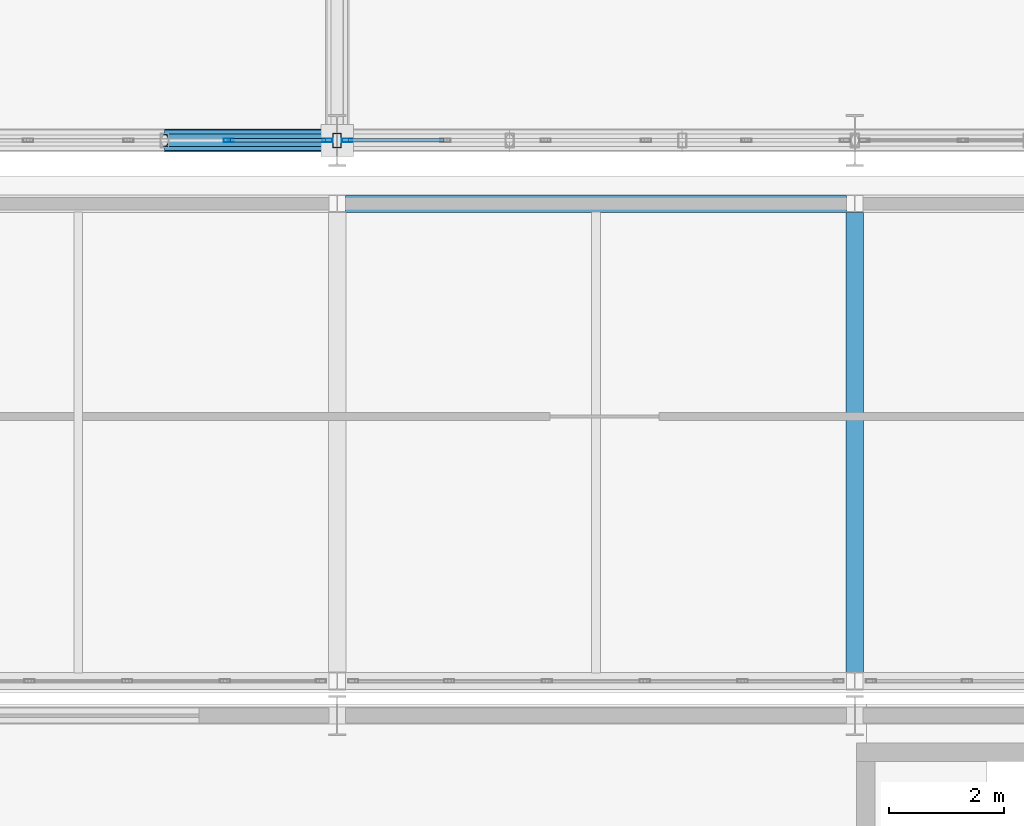
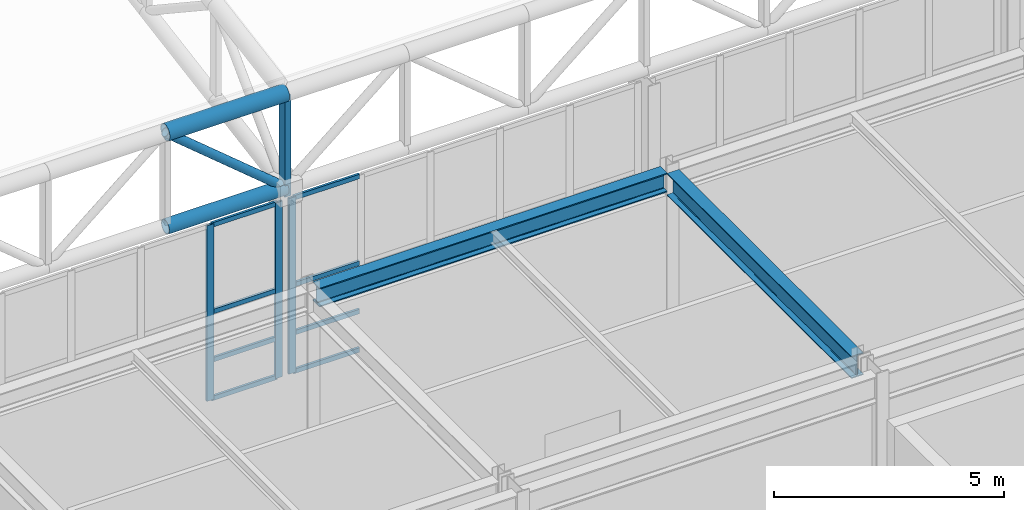
# One storey, part 34 of 239: 15 members, 2 beams, 2 elements without a shape of their own.
"""IFC4 building model written with IfcOpenShell, lengths in metres."""

import ifcopenshell
import ifcopenshell.guid

model = None  # the IFC model being written
_history = None  # IfcOwnerHistory: only IFC2X3 demands one
_inside = {}  # id of a spatial element -> (the spatial element, [elements in it])
_under = {}  # id of a project, library or spatial element -> (it, [spatial elements below it])
_declared = {}  # id of a project -> (the project, [libraries it declares])
_typed = {}  # id of a type object -> (the type object, [elements of that type])
_made_of = {}  # id of a material, layer set ... -> (it, [elements and type objects made of it])


def new_model(schema):
    """Start an empty IFC model of exactly this schema.

    Asked for "IFC4X3", IfcOpenShell would pick the latest addendum, in which some entities
    have other attributes; the version numbers below select the first issue.
    IFC2X3 requires an IfcOwnerHistory on every rooted entity: one is made here for all.
    """
    global model, _history
    if schema == "IFC4X3":
        model = ifcopenshell.file(schema_version=(4, 3, 0, 0))
    else:
        model = ifcopenshell.file(schema=schema)
    _inside.clear()
    _under.clear()
    _declared.clear()
    _typed.clear()
    _made_of.clear()
    _history = None
    if model.schema == "IFC2X3":
        org = make("IfcOrganization", Name="unknown")
        user = make(
            "IfcPersonAndOrganization",
            ThePerson=make("IfcPerson", FamilyName="unknown"),
            TheOrganization=org,
        )
        app = make(
            "IfcApplication",
            ApplicationDeveloper=org,
            Version="unknown",
            ApplicationFullName="unknown",
            ApplicationIdentifier="unknown",
        )
        _history = make(
            "IfcOwnerHistory",
            OwningUser=user,
            OwningApplication=app,
            ChangeAction="ADDED",
            CreationDate=0,
        )
    return model


def make(cls, **values):
    """One entity of the class cls with the attributes given. An attribute that is None is left unset."""
    return model.create_entity(
        cls, **{name: value for name, value in values.items() if value is not None}
    )


def rooted(cls, **values):
    """An entity with a GlobalId (a new one), such as an element, a storey or a relation."""
    return make(cls, GlobalId=ifcopenshell.guid.new(), OwnerHistory=_history, **values)


def si_unit(unit_type, name, prefix=None):
    """IfcSIUnit, for example si_unit("LENGTHUNIT", "METRE", prefix="MILLI")."""
    return make("IfcSIUnit", UnitType=unit_type, Prefix=prefix, Name=name)


def assignment(units):
    """IfcUnitAssignment: the units of a project."""
    return None if units is None else make("IfcUnitAssignment", Units=units)


def point(xyz):
    """IfcCartesianPoint."""
    return None if xyz is None else make("IfcCartesianPoint", Coordinates=xyz)


def direction(xyz):
    """IfcDirection."""
    return None if xyz is None else make("IfcDirection", DirectionRatios=xyz)


def frame(location, z_axis=None, x_axis=None):
    """IfcAxis2Placement3D, a coordinate frame: its origin and axes. An axis left out is left unset."""
    return make(
        "IfcAxis2Placement3D",
        Location=point(location),
        Axis=direction(z_axis),
        RefDirection=direction(x_axis),
    )


def frame_2d(location, x_axis=None):
    """IfcAxis2Placement2D, a coordinate frame in the plane: its origin and x axis."""
    return make(
        "IfcAxis2Placement2D", Location=point(location), RefDirection=direction(x_axis)
    )


def origin():
    """The frame at (0, 0, 0) with its axes left unset."""
    return frame((0.0, 0.0, 0.0))


def origin_2d():
    """The frame at (0, 0) in the plane with its x axis left unset."""
    return frame_2d((0.0, 0.0))


def place(relative_to, where):
    """IfcLocalPlacement: puts the frame where relative to a parent placement (None: the world)."""
    return make(
        "IfcLocalPlacement", PlacementRelTo=relative_to, RelativePlacement=where
    )


def context(
    kind, dimensions, precision=None, world=None, true_north=None, identifier=None
):
    """IfcGeometricRepresentationContext, for example the 3D "Model" context."""
    return make(
        "IfcGeometricRepresentationContext",
        ContextIdentifier=identifier,
        ContextType=kind,
        CoordinateSpaceDimension=dimensions,
        Precision=precision,
        WorldCoordinateSystem=world,
        TrueNorth=true_north,
    )


def subcontext(parent, identifier, kind, view, scale=None):
    """IfcGeometricRepresentationSubContext, for example "Body" below "Model"."""
    return make(
        "IfcGeometricRepresentationSubContext",
        ContextIdentifier=identifier,
        ContextType=kind,
        ParentContext=parent,
        TargetScale=scale,
        TargetView=view,
    )


def project(units=None, contexts=None):
    """IfcProject with its units and contexts."""
    return rooted(
        "IfcProject",
        Name="project",
        RepresentationContexts=contexts,
        UnitsInContext=assignment(units),
    )


def spatial(cls, under=None, at=None, **own):
    """A site, building, storey or space (cls), placed at a placement, below another one or the project."""
    s = rooted(cls, ObjectPlacement=at, **own)
    if under is not None:
        _under.setdefault(under.id(), (under, []))[1].append(s)
    return s


def profile(cls, at=None, kind="AREA", **sizes):
    """A parametric profile (cls). Its sizes go by their IFC names, for example OverallWidth=200.0."""
    return make(cls, ProfileType=kind, Position=at, **sizes)


def hollow_rectangle(**sizes):
    """IfcRectangleHollowProfileDef."""
    return profile("IfcRectangleHollowProfileDef", **sizes)


def hollow_circle(**sizes):
    """IfcCircleHollowProfileDef."""
    return profile("IfcCircleHollowProfileDef", **sizes)


def i_section(**sizes):
    """IfcIShapeProfileDef."""
    return profile("IfcIShapeProfileDef", **sizes)


def extrude(swept, where, along, depth):
    """IfcExtrudedAreaSolid: the profile swept, set in the frame where, extruded along a direction by depth."""
    return make(
        "IfcExtrudedAreaSolid",
        SweptArea=swept,
        Position=where,
        ExtrudedDirection=direction(along),
        Depth=depth,
    )


def shape(context_of_items, identifier, shape_type, items):
    """IfcShapeRepresentation: the items that make up one representation, for example the "Body"."""
    return make(
        "IfcShapeRepresentation",
        ContextOfItems=context_of_items,
        RepresentationIdentifier=identifier,
        RepresentationType=shape_type,
        Items=items,
    )


def material(Name=None, Category=None):
    """IfcMaterial."""
    return make("IfcMaterial", Name=Name, Category=Category)


def material_profile(
    of_material, cross_section, Name=None, Category=None, Priority=None
):
    """IfcMaterialProfile: a cross section and its material."""
    return make(
        "IfcMaterialProfile",
        Name=Name,
        Material=of_material,
        Profile=cross_section,
        Priority=Priority,
        Category=Category,
    )


def profile_set(profiles, Name=None, composite=None):
    """IfcMaterialProfileSet."""
    return make(
        "IfcMaterialProfileSet",
        Name=Name,
        MaterialProfiles=profiles,
        CompositeProfile=composite,
    )


def made_of(thing, what):
    """Note that an element or type object is made of a material, layer set ...; save() writes the relation."""
    if what is not None:
        _made_of.setdefault(what.id(), (what, []))[1].append(thing)
    return thing


def type_object(cls, material=None, **own):
    """A type object (cls), such as IfcWallType, which elements share."""
    return made_of(rooted(cls, **own), material)


def element(
    cls,
    number,
    at=None,
    inside=None,
    cuts=None,
    type_object=None,
    material=None,
    context=None,
    identifier="Body",
    shape_type=None,
    held_by="IfcProductDefinitionShape",
    body=None,
    shapes=None,
    **own,
):
    """One element of the class cls, such as IfcWall. Its Tag is "e" and its number.

    at: its placement. inside: the storey or other place that contains it. cuts: it is an
    opening in that element (IfcRelVoidsElement). A single representation is given by context,
    identifier, shape_type and body (its items); several are given by shapes. held_by: the class
    of the entity that holds the representations. save() writes the other relations.
    """
    e = rooted(cls, Tag="e%d" % number, ObjectPlacement=at, **own)
    if body is not None:
        shapes = [shape(context, identifier, shape_type, body)]
    if shapes is not None:
        e.Representation = make(held_by, Representations=shapes)
    if inside is not None:
        _inside.setdefault(inside.id(), (inside, []))[1].append(e)
    if cuts is not None:
        rooted(
            "IfcRelVoidsElement", RelatingBuildingElement=cuts, RelatedOpeningElement=e
        )
    if type_object is not None:
        _typed.setdefault(type_object.id(), (type_object, []))[1].append(e)
    return made_of(e, material)


def aggregate(whole, parts):
    """IfcRelAggregates: a whole, such as a stair, and the parts it consists of."""
    return rooted("IfcRelAggregates", RelatingObject=whole, RelatedObjects=parts)


def save(model, path):
    """Write the relations noted so far, then the file.

    IfcRelAggregates (storeys below a building ...), IfcRelContainedInSpatialStructure (elements
    in a storey), IfcRelDefinesByType, IfcRelAssociatesMaterial and IfcRelDeclares: one each for
    every whole, place, type object, material and project.
    """
    for whole, parts in _under.values():
        aggregate(whole, parts)
    for where, things in _inside.values():
        rooted(
            "IfcRelContainedInSpatialStructure",
            RelatedElements=things,
            RelatingStructure=where,
        )
    for kind, things in _typed.values():
        rooted("IfcRelDefinesByType", RelatedObjects=things, RelatingType=kind)
    for what, things in _made_of.values():
        rooted("IfcRelAssociatesMaterial", RelatedObjects=things, RelatingMaterial=what)
    for by, libraries in _declared.values():
        rooted("IfcRelDeclares", RelatingContext=by, RelatedDefinitions=libraries)
    model.write(path)


model = new_model("IFC4")

# Units and contexts
model_context = context("Model", 3, precision=1e-05, world=origin(), true_north=direction((0.0, 1.0)))
body_context = subcontext(model_context, "Body", "Model", "MODEL_VIEW")
ifc_project = project(units=[si_unit("LENGTHUNIT", "METRE"), si_unit("AREAUNIT", "SQUARE_METRE"), si_unit("VOLUMEUNIT", "CUBIC_METRE"), si_unit("PLANEANGLEUNIT", "RADIAN"), si_unit("MASSUNIT", "GRAM", prefix="KILO")], contexts=[model_context])

# Site, building, storey
site_placement = place(None, origin())
site = spatial("IfcSite", under=ifc_project, at=site_placement, CompositionType="ELEMENT")
building_placement = place(site_placement, origin())
building = spatial("IfcBuilding", under=site, at=building_placement, Name="Kaldris Quays Convention Centre", CompositionType="ELEMENT")
storey_placement = place(building_placement, frame((0.0, 0.0, 11.39990234375)))
storey = spatial("IfcBuildingStorey", under=building, at=storey_placement, Name="L02", CompositionType="ELEMENT", Elevation=11.39990234375)

# Curtain wall, members
ifc_material_1 = material(Name="Anodized aluminium AW-6060 and triple glazing", Category="aluminium")
curtain_wall_type = type_object("IfcCurtainWallType", Name="UNITISED CURTAIN WALL CW03", PredefinedType="NOTDEFINED", material=ifc_material_1)
curtain_wall_1_placement = place(storey_placement, origin())
curtain_wall_1 = element("IfcCurtainWall", 1, at=curtain_wall_1_placement, inside=storey, type_object=curtain_wall_type, Name="L02 Unitised Curtain Wall CW03 229", PredefinedType="NOTDEFINED")
ifc_material_2 = material(Name="Anodized aluminium AW-6060", Category="aluminium")
ifc_material_profile_1 = material_profile(ifc_material_2, hollow_rectangle(XDim=0.06005859375, YDim=0.179931640625, WallThickness=0.0048828125, at=origin_2d()), Name="RHS 180x60x5")
ifc_profile_set_1 = profile_set([ifc_material_profile_1], Name="Anodized aluminium AW-6060")
member_type_1 = type_object("IfcMemberType", Name="CURTAIN MULLION CWM2", PredefinedType="MULLION", material=ifc_profile_set_1)
member_1_placement = place(storey_placement, frame((36.115966796875, 56.0, 2.195068359375), z_axis=(0.0, 0.0, 1.0), x_axis=(0.0, 1.0, 0.0)))
member_1 = element("IfcMember", 2, at=member_1_placement, type_object=member_type_1, Name="CW03 mullion 5", PredefinedType="MULLION", context=body_context, shape_type="SweptSolid", body=[
    extrude(hollow_rectangle(XDim=0.06005859375, YDim=0.179931640625, WallThickness=0.0048828125, at=origin_2d()), origin(), (0.0, 0.0, 1.0), 4.655029296875),
])
member_2_placement = place(storey_placement, frame((37.830078125, 56.0, 2.195068359375), z_axis=(0.0, 0.0, 1.0), x_axis=(0.0, 1.0, 0.0)))
member_2 = element("IfcMember", 3, at=member_2_placement, type_object=member_type_1, Name="CW03 mullion 6", PredefinedType="MULLION", context=body_context, shape_type="SweptSolid", body=[
    extrude(hollow_rectangle(XDim=0.06005859375, YDim=0.179931640625, WallThickness=0.0048828125, at=origin_2d()), origin(), (0.0, 0.0, 1.0), 4.655029296875),
])

# Curtain wall, member
curtain_wall_2_placement = place(storey_placement, origin())
curtain_wall_2 = element("IfcCurtainWall", 4, at=curtain_wall_2_placement, inside=storey, type_object=curtain_wall_type, Name="L02 Unitised Curtain Wall CW03 231", PredefinedType="NOTDEFINED")
member_3_placement = place(storey_placement, frame((38.169921875, 56.0, 2.195068359375), z_axis=(0.0, 0.0, 1.0), x_axis=(0.0, 1.0, 0.0)))
member_3 = element("IfcMember", 5, at=member_3_placement, type_object=member_type_1, Name="CW03 mullion 1", PredefinedType="MULLION", context=body_context, shape_type="SweptSolid", body=[
    extrude(hollow_rectangle(XDim=0.06005859375, YDim=0.179931640625, WallThickness=0.0048828125, at=origin_2d()), origin(), (0.0, 0.0, 1.0), 4.655029296875),
])

# Member
ifc_material_profile_2 = material_profile(ifc_material_2, hollow_rectangle(XDim=0.06005859375, YDim=0.1201171875, WallThickness=0.00390625, at=origin_2d()), Name="RHS 120x60x4")
ifc_profile_set_2 = profile_set([ifc_material_profile_2], Name="Anodized aluminium AW-6060")
member_type_2 = type_object("IfcMemberType", Name="CURTAIN TRANSOM CWT1", PredefinedType="USERDEFINED", material=ifc_profile_set_2)
member_4_placement = place(storey_placement, frame((36.14599609375, 56.0, 2.22509765625), z_axis=(1.0, 0.0, 0.0), x_axis=(0.0, 1.0, 0.0)))
member_4 = element("IfcMember", 6, at=member_4_placement, type_object=member_type_2, Name="CW03 transom 5.1", ObjectType="TRANSOM", PredefinedType="USERDEFINED", context=body_context, shape_type="SweptSolid", body=[
    extrude(hollow_rectangle(XDim=0.06005859375, YDim=0.1201171875, WallThickness=0.00390625, at=origin_2d()), origin(), (0.0, 0.0, 1.0), 1.654052734375),
])

member_5_placement = place(storey_placement, frame((36.14599609375, 56.0, 3.2451171875), z_axis=(1.0, 0.0, 0.0), x_axis=(0.0, 1.0, 0.0)))
member_5 = element("IfcMember", 7, at=member_5_placement, type_object=member_type_2, Name="CW03 transom 5.2", ObjectType="TRANSOM", PredefinedType="USERDEFINED", context=body_context, shape_type="SweptSolid", body=[
    extrude(hollow_rectangle(XDim=0.06005859375, YDim=0.1201171875, WallThickness=0.00390625, at=origin_2d()), origin(), (0.0, 0.0, 1.0), 1.654052734375),
])

member_6_placement = place(storey_placement, frame((36.14599609375, 56.0, 4.522216796875), z_axis=(1.0, 0.0, 0.0), x_axis=(0.0, 1.0, 0.0)))
member_6 = element("IfcMember", 8, at=member_6_placement, type_object=member_type_2, Name="CW03 transom 5.3", ObjectType="TRANSOM", PredefinedType="USERDEFINED", context=body_context, shape_type="SweptSolid", body=[
    extrude(hollow_rectangle(XDim=0.06005859375, YDim=0.1201171875, WallThickness=0.00390625, at=origin_2d()), origin(), (0.0, 0.0, 1.0), 1.654052734375),
])

member_7_placement = place(storey_placement, frame((36.14599609375, 56.0, 6.820068359375), z_axis=(1.0, 0.0, 0.0), x_axis=(0.0, 1.0, 0.0)))
member_7 = element("IfcMember", 9, at=member_7_placement, type_object=member_type_2, Name="CW03 transom 5.4", ObjectType="TRANSOM", PredefinedType="USERDEFINED", context=body_context, shape_type="SweptSolid", body=[
    extrude(hollow_rectangle(XDim=0.06005859375, YDim=0.1201171875, WallThickness=0.00390625, at=origin_2d()), origin(), (0.0, 0.0, 1.0), 1.654052734375),
])

aggregate(curtain_wall_1, [member_1, member_2, member_4, member_5, member_6, member_7])

member_8_placement = place(storey_placement, frame((38.199951171875, 56.0, 2.22509765625), z_axis=(1.0, 0.0, 0.0), x_axis=(0.0, 1.0, 0.0)))
member_8 = element("IfcMember", 10, at=member_8_placement, type_object=member_type_2, Name="CW03 transom 1.1", ObjectType="TRANSOM", PredefinedType="USERDEFINED", context=body_context, shape_type="SweptSolid", body=[
    extrude(hollow_rectangle(XDim=0.06005859375, YDim=0.1201171875, WallThickness=0.00390625, at=origin_2d()), origin(), (0.0, 0.0, 1.0), 1.654052734375),
])

member_9_placement = place(storey_placement, frame((38.199951171875, 56.0, 3.2451171875), z_axis=(1.0, 0.0, 0.0), x_axis=(0.0, 1.0, 0.0)))
member_9 = element("IfcMember", 11, at=member_9_placement, type_object=member_type_2, Name="CW03 transom 1.2", ObjectType="TRANSOM", PredefinedType="USERDEFINED", context=body_context, shape_type="SweptSolid", body=[
    extrude(hollow_rectangle(XDim=0.06005859375, YDim=0.1201171875, WallThickness=0.00390625, at=origin_2d()), origin(), (0.0, 0.0, 1.0), 1.654052734375),
])

member_10_placement = place(storey_placement, frame((38.199951171875, 56.0, 4.522216796875), z_axis=(1.0, 0.0, 0.0), x_axis=(0.0, 1.0, 0.0)))
member_10 = element("IfcMember", 12, at=member_10_placement, type_object=member_type_2, Name="CW03 transom 1.3", ObjectType="TRANSOM", PredefinedType="USERDEFINED", context=body_context, shape_type="SweptSolid", body=[
    extrude(hollow_rectangle(XDim=0.06005859375, YDim=0.1201171875, WallThickness=0.00390625, at=origin_2d()), origin(), (0.0, 0.0, 1.0), 1.654052734375),
])

member_11_placement = place(storey_placement, frame((38.199951171875, 56.0, 6.820068359375), z_axis=(1.0, 0.0, 0.0), x_axis=(0.0, 1.0, 0.0)))
member_11 = element("IfcMember", 13, at=member_11_placement, type_object=member_type_2, Name="CW03 transom 1.4", ObjectType="TRANSOM", PredefinedType="USERDEFINED", context=body_context, shape_type="SweptSolid", body=[
    extrude(hollow_rectangle(XDim=0.06005859375, YDim=0.1201171875, WallThickness=0.00390625, at=origin_2d()), origin(), (0.0, 0.0, 1.0), 1.654052734375),
])

aggregate(curtain_wall_2, [member_3, member_8, member_9, member_10, member_11])

# Beams
ifc_material_3 = material(Name="Steel S355J2", Category="steel")
ifc_material_profile_3 = material_profile(ifc_material_3, i_section(OverallWidth=0.300048828125, OverallDepth=0.5, WebThickness=0.014404296875, FlangeThickness=0.028076171875, FilletRadius=0.027099609375, at=origin_2d()), Name="HEB 500")
ifc_profile_set_3 = profile_set([ifc_material_profile_3], Name="Steel S355J2")
beam_type_1 = type_object("IfcBeamType", Name="STRUCTURAL BEAM BM06", PredefinedType="BEAM", material=ifc_profile_set_3)
beam_1_placement = place(storey_placement, frame((38.14404296875, 54.89990234375, 4.943115234375), z_axis=(1.0, 0.0, 0.0), x_axis=(0.0, 1.0, 0.0)))
element("IfcBeam", 14, at=beam_1_placement, inside=storey, type_object=beam_type_1, Name="L02 Girder BM06 8", PredefinedType="BEAM", context=body_context, shape_type="SweptSolid", body=[
    extrude(i_section(OverallWidth=0.300048828125, OverallDepth=0.5, WebThickness=0.014404296875, FlangeThickness=0.028076171875, FilletRadius=0.027099609375, at=origin_2d()), origin(), (0.0, 0.0, 1.0), 8.7119140625),
])
ifc_material_profile_4 = material_profile(ifc_material_3, i_section(OverallWidth=0.300048828125, OverallDepth=0.590087890625, WebThickness=0.012939453125, FlangeThickness=0.02490234375, FilletRadius=0.027099609375, at=origin_2d()), Name="HEA 600")
ifc_profile_set_4 = profile_set([ifc_material_profile_4], Name="Steel S355J2")
beam_type_2 = type_object("IfcBeamType", Name="STRUCTURAL BEAM BM08", PredefinedType="BEAM", material=ifc_profile_set_4)
beam_2_placement = place(storey_placement, frame((47.0, 46.7490234375, 4.898193359375), z_axis=(0.0, 1.0, 0.0), x_axis=(-1.0, 0.0, 0.0)))
element("IfcBeam", 15, at=beam_2_placement, inside=storey, type_object=beam_type_2, Name="L02 Girder BM08 15", PredefinedType="BEAM", context=body_context, shape_type="SweptSolid", body=[
    extrude(i_section(OverallWidth=0.300048828125, OverallDepth=0.590087890625, WebThickness=0.012939453125, FlangeThickness=0.02490234375, FilletRadius=0.027099609375, at=origin_2d()), origin(), (0.0, 0.0, 1.0), 8.001953125),
])

# Members
ifc_material_4 = material(Name="Steel S355J2H", Category="steel")
ifc_material_profile_5 = material_profile(ifc_material_4, hollow_circle(Radius=0.203125, WallThickness=0.01611328125, at=origin_2d()), Name="CHS 406.4x16")
ifc_profile_set_5 = profile_set([ifc_material_profile_5], Name="Steel S355J2H")
member_type_3 = type_object("IfcMemberType", Name="STRUCTURAL MEMBER SC01", PredefinedType="CHORD", material=ifc_profile_set_5)
member_12_placement = place(storey_placement, frame((35.0, 56.0, 9.671875), z_axis=(1.0, 0.0, 0.0), x_axis=(0.0, 1.0, 0.0)))
element("IfcMember", 16, at=member_12_placement, inside=storey, type_object=member_type_3, Name="SF-V1 Top Chord X 6", PredefinedType="CHORD", context=body_context, shape_type="SweptSolid", body=[
    extrude(hollow_circle(Radius=0.203125, WallThickness=0.01611328125, at=origin_2d()), origin(), (0.0, 0.0, 1.0), 3.0),
])
ifc_material_profile_6 = material_profile(ifc_material_4, hollow_circle(Radius=0.177734375, WallThickness=0.01611328125, at=origin_2d()), Name="CHS 355.6x16")
ifc_profile_set_6 = profile_set([ifc_material_profile_6], Name="Steel S355J2H")
member_type_4 = type_object("IfcMemberType", Name="STRUCTURAL MEMBER SC02", PredefinedType="CHORD", material=ifc_profile_set_6)
member_13_placement = place(storey_placement, frame((35.0, 56.0, 7.171875), z_axis=(1.0, 0.0, 0.0), x_axis=(0.0, 1.0, 0.0)))
element("IfcMember", 17, at=member_13_placement, inside=storey, type_object=member_type_4, Name="SF-V1 Bottom Chord X 6", PredefinedType="CHORD", context=body_context, shape_type="SweptSolid", body=[
    extrude(hollow_circle(Radius=0.177734375, WallThickness=0.01611328125, at=origin_2d()), origin(), (0.0, 0.0, 1.0), 3.0),
])
ifc_material_profile_7 = material_profile(ifc_material_4, hollow_circle(Radius=0.109619140625, WallThickness=0.010009765625, at=origin_2d()), Name="CHS 219.1x10")
ifc_profile_set_7 = profile_set([ifc_material_profile_7], Name="Steel S355J2H")
member_type_5 = type_object("IfcMemberType", Name="STRUCTURAL MEMBER SWB1", PredefinedType="BRACE", material=ifc_profile_set_7)
member_14_placement = place(storey_placement, frame((38.0, 56.0, 7.171875), z_axis=(-0.768221279597, 0.0, 0.640184399664), x_axis=(0.0, -1.0, 0.0)))
element("IfcMember", 18, at=member_14_placement, inside=storey, type_object=member_type_5, Name="SF-V1 Web Diagonal X 6", PredefinedType="BRACE", context=body_context, shape_type="SweptSolid", body=[
    extrude(hollow_circle(Radius=0.109619140625, WallThickness=0.010009765625, at=origin_2d()), origin(), (0.0, 0.0, 1.0), 3.905029296875),
])
ifc_material_profile_8 = material_profile(ifc_material_4, hollow_rectangle(XDim=0.14990234375, YDim=0.25, WallThickness=0.010009765625, at=origin_2d()), Name="RHS 250x150x10")
ifc_profile_set_8 = profile_set([ifc_material_profile_8], Name="Steel S355J2H")
member_type_6 = type_object("IfcMemberType", Name="STRUCTURAL MEMBER TTV1", PredefinedType="POST", material=ifc_profile_set_8)
member_15_placement = place(storey_placement, frame((38.0, 56.0, 6.994140625), z_axis=(0.0, 0.0, 1.0), x_axis=(1.0, 0.0, 0.0)))
element("IfcMember", 19, at=member_15_placement, inside=storey, type_object=member_type_6, Name="SF-V1 Space-Frame Post 70", PredefinedType="POST", context=body_context, shape_type="SweptSolid", body=[
    extrude(hollow_rectangle(XDim=0.14990234375, YDim=0.25, WallThickness=0.010009765625, at=origin_2d()), origin(), (0.0, 0.0, 1.0), 2.677734375),
])

save(model, "model.ifc")
